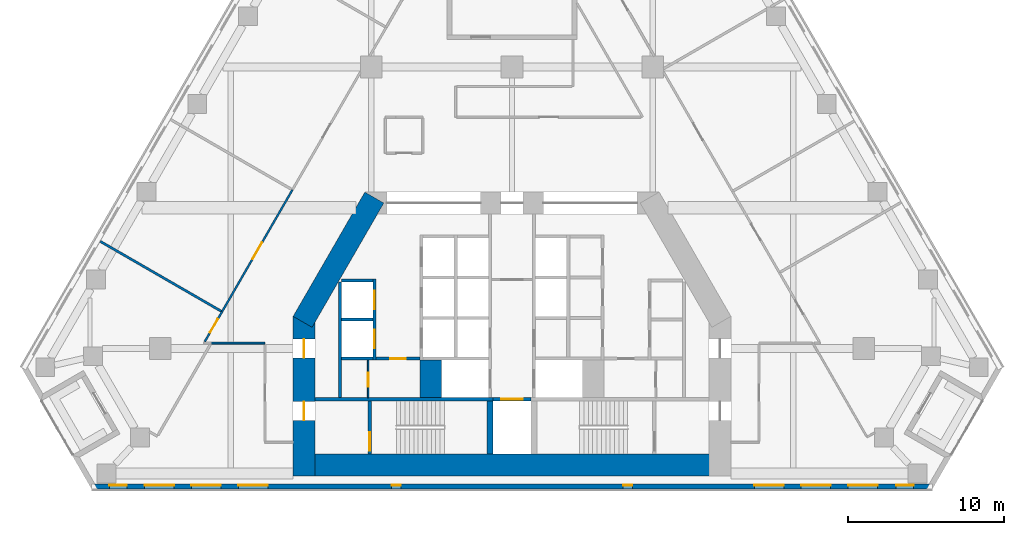
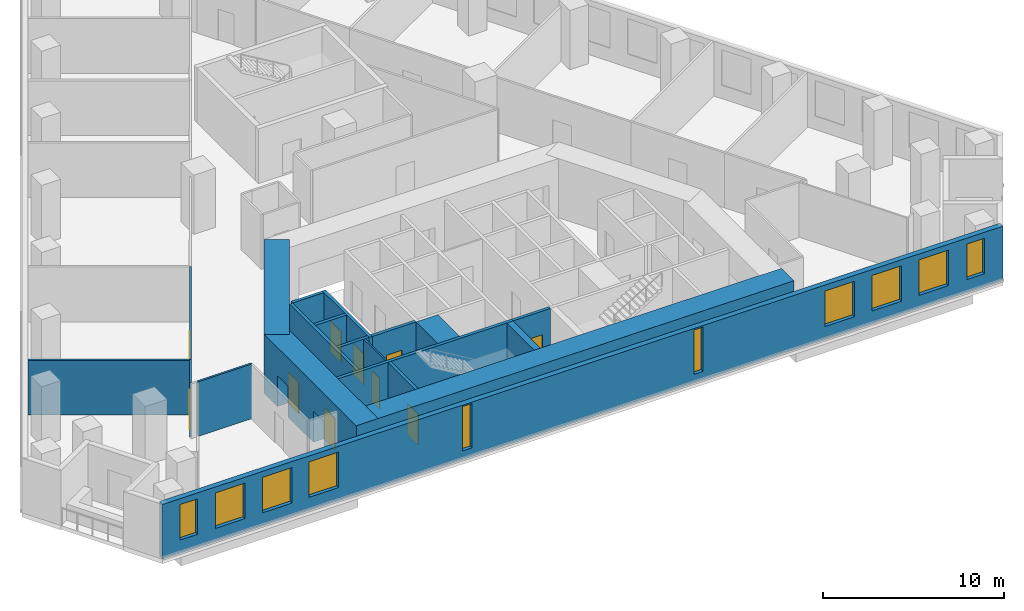
# One storey, part 3 of 9: 20 walls, 10 doors, 10 windows, 20 openings.
"""IFC4 building model written with IfcOpenShell, lengths in metres."""

from ifc_helpers import new_model, si_unit, direction, frame, frame_2d, origin, place, context, subcontext, project, spatial, rectangle, extrude, material, layer, layer_set, type_object, element, fill, save


model = new_model("IFC4")

# Units and contexts
model_context = context("Model", 3, precision=1e-05, world=origin(), true_north=direction((0.0, 1.0)))
body_context = subcontext(model_context, "Body", "Model", "MODEL_VIEW")
ifc_project = project(units=[si_unit("LENGTHUNIT", "METRE"), si_unit("AREAUNIT", "SQUARE_METRE"), si_unit("VOLUMEUNIT", "CUBIC_METRE"), si_unit("PLANEANGLEUNIT", "RADIAN"), si_unit("MASSUNIT", "GRAM", prefix="KILO")], contexts=[model_context])

# Site, building, storey
site_placement = place(None, origin())
site = spatial("IfcSite", under=ifc_project, at=site_placement, CompositionType="ELEMENT")
building_placement = place(site_placement, origin())
building = spatial("IfcBuilding", under=site, at=building_placement, Name="Fogline Exchange Tower", CompositionType="ELEMENT")
storey_placement = place(building_placement, frame((0.0, 0.0, 72.89990234375)))
storey = spatial("IfcBuildingStorey", under=building, at=storey_placement, Name="L15", CompositionType="ELEMENT", Elevation=72.89990234375)

# Wall, opening, door
ifc_material_1 = material(Name="Blockwork partition", Category="masonry")
ifc_layer_1 = layer(ifc_material_1, 0.10009765625)
ifc_layer_set_1 = layer_set([ifc_layer_1], Name="CW10")
wall_type_1 = type_object("IfcWallType", Name="CW10", PredefinedType="PARTITIONING", material=ifc_layer_set_1)
wall_1_placement = place(storey_placement, frame((-9.199951171875, 5.85009765625, 0.0), z_axis=(0.0, 0.0, 1.0), x_axis=(0.0, 1.0, 0.0)))
wall_1 = element("IfcWall", 1, at=wall_1_placement, inside=storey, type_object=wall_type_1, Name="WC partition", PredefinedType="PARTITIONING", context=body_context, shape_type="SweptSolid", body=[
    extrude(rectangle(XDim=2.39990234375, YDim=0.10009765625, at=frame_2d((1.199951171875, 0.0))), origin(), (0.0, 0.0, 1.0), 3.7001953125),
])
opening_1_placement = place(wall_1_placement, frame((0.699951171875, 0.0, 0.0)))
opening_1 = element("IfcOpeningElement", 2, at=opening_1_placement, cuts=wall_1, Name="Opening T04-C008", PredefinedType="OPENING", context=body_context, shape_type="SweptSolid", body=[
    extrude(rectangle(XDim=0.89990234375, YDim=2.10009765625, at=frame_2d((0.449951171875, 1.050048828125))), frame((0.0, 0.06005859375, 0.0), z_axis=(0.0, -1.0, 0.0), x_axis=(1.0, 0.0, 0.0)), (0.0, 0.0, 1.0), 0.1201171875),
])
ifc_material_2 = material(Name="Steel and timber fire door", Category="steel")
door_type_1 = type_object("IfcDoorType", Name="D-CS1", OperationType="SINGLE_SWING_RIGHT", PredefinedType="DOOR", material=ifc_material_2)
door_1_placement = place(opening_1_placement, origin())
door_1 = element("IfcDoor", 3, at=door_1_placement, inside=storey, type_object=door_type_1, Name="Door to Cleaner's Store", OperationType="SINGLE_SWING_LEFT", OverallHeight=2.10009765625, OverallWidth=0.89990234375, PredefinedType="DOOR", context=body_context, shape_type="SweptSolid", body=[
    extrude(rectangle(XDim=0.89990234375, YDim=2.10009765625, at=frame_2d((0.449951171875, 1.050048828125))), frame((0.0, 0.02490234375, 0.0), z_axis=(0.0, -1.0, 0.0), x_axis=(1.0, 0.0, 0.0)), (0.0, 0.0, 1.0), 0.050048828125),
])
fill(opening_1, door_1)

# Walls
ifc_material_3 = material(Name="Concrete C60", Category="concrete")
ifc_layer_2 = layer(ifc_material_3, 1.39990234375)
ifc_layer_set_2 = layer_set([ifc_layer_2], Name="CW140")
wall_type_2 = type_object("IfcWallType", Name="CW140", PredefinedType="SOLIDWALL", material=ifc_layer_set_2)
wall_2_placement = place(storey_placement, frame((-5.199951171875, 5.85009765625, -0.2998046875), z_axis=(0.0, 0.0, 1.0), x_axis=(0.0, 1.0, 0.0)))
element("IfcWall", 4, at=wall_2_placement, inside=storey, type_object=wall_type_2, Name="Lift shaft block wall", PredefinedType="SOLIDWALL", context=body_context, shape_type="SweptSolid", body=[
    extrude(rectangle(XDim=2.39990234375, YDim=1.39990234375, at=frame_2d((1.199951171875, 0.0))), origin(), (0.0, 0.0, 1.0), 4.0),
])
ifc_material_4 = material(Name="Concrete C40", Category="concrete")
ifc_layer_3 = layer(ifc_material_4, 0.199951171875)
ifc_layer_set_3 = layer_set([ifc_layer_3], Name="CW20")
wall_type_3 = type_object("IfcWallType", Name="CW20", PredefinedType="SOLIDWALL", material=ifc_layer_set_3)
wall_3_placement = place(storey_placement, frame((-11.0, 5.85009765625, 0.0), z_axis=(0.0, 0.0, 1.0), x_axis=(0.0, 1.0, 0.0)))
element("IfcWall", 5, at=wall_3_placement, inside=storey, type_object=wall_type_3, Name="Service room wall", PredefinedType="SOLIDWALL", context=body_context, shape_type="SweptSolid", body=[
    extrude(rectangle(XDim=7.39990234375, YDim=0.199951171875, at=frame_2d((3.699951171875, 0.0))), origin(), (0.0, 0.0, 1.0), 3.7001953125),
])

# Wall, opening, door
wall_4_placement = place(storey_placement, frame((-8.699951171875, 8.35009765625, 0.0), z_axis=(0.0, 0.0, 1.0), x_axis=(1.0, 0.0, 0.0)))
wall_4 = element("IfcWall", 6, at=wall_4_placement, inside=storey, type_object=wall_type_3, Name="WC wall", PredefinedType="SOLIDWALL", context=body_context, shape_type="SweptSolid", body=[
    extrude(rectangle(XDim=2.800048828125, YDim=0.199951171875, at=frame_2d((1.39990234375, 0.0))), origin(), (0.0, 0.0, 1.0), 3.7001953125),
])
opening_2_placement = place(wall_4_placement, frame((0.89990234375, 0.0, 0.0)))
opening_2 = element("IfcOpeningElement", 7, at=opening_2_placement, cuts=wall_4, Name="Opening T04-C007", PredefinedType="OPENING", context=body_context, shape_type="SweptSolid", body=[
    extrude(rectangle(XDim=1.0, YDim=2.10009765625, at=frame_2d((0.5, 1.050048828125))), frame((0.0, 0.10986328125, 0.0), z_axis=(0.0, -1.0, 0.0), x_axis=(1.0, 0.0, 0.0)), (0.0, 0.0, 1.0), 0.219970703125),
])
door_type_2 = type_object("IfcDoorType", Name="D-WC1", OperationType="SINGLE_SWING_LEFT", PredefinedType="DOOR", material=ifc_material_2)
door_2_placement = place(opening_2_placement, frame((1.0, 0.0, 0.0), z_axis=(0.0, 0.0, 1.0), x_axis=(-1.0, 0.0, 0.0)))
door_2 = element("IfcDoor", 8, at=door_2_placement, inside=storey, type_object=door_type_2, Name="Door to Men's WC", OperationType="SINGLE_SWING_LEFT", OverallHeight=2.10009765625, OverallWidth=1.0, PredefinedType="DOOR", context=body_context, shape_type="SweptSolid", body=[
    extrude(rectangle(XDim=1.0, YDim=2.10009765625, at=frame_2d((0.5, 1.050048828125))), frame((0.0, 0.02490234375, 0.0), z_axis=(0.0, -1.0, 0.0), x_axis=(1.0, 0.0, 0.0)), (0.0, 0.0, 1.0), 0.050048828125),
])
fill(opening_2, door_2)

# Wall
ifc_layer_4 = layer(ifc_material_4, 0.199951171875)
ifc_layer_set_4 = layer_set([ifc_layer_4], Name="CW20R")
wall_type_4 = type_object("IfcWallType", Name="CW20R", PredefinedType="SOLIDWALL", material=ifc_layer_set_4)
wall_5_placement = place(storey_placement, frame((-12.60009765625, 5.75, -0.2998046875), z_axis=(0.0, 0.0, 1.0), x_axis=(1.0, 0.0, 0.0)))
element("IfcWall", 9, at=wall_5_placement, inside=storey, type_object=wall_type_4, Name="Stair enclosure wall", PredefinedType="SOLIDWALL", context=body_context, shape_type="SweptSolid", body=[
    extrude(rectangle(XDim=11.400146484375, YDim=0.199951171875, at=frame_2d((5.7001953125, 0.0))), origin(), (0.0, 0.0, 1.0), 4.0),
])

# Wall, opening, door
wall_6_placement = place(storey_placement, frame((-1.199951171875, 5.75, -0.2998046875), z_axis=(0.0, 0.0, 1.0), x_axis=(1.0, 0.0, 0.0)))
wall_6 = element("IfcWall", 10, at=wall_6_placement, inside=storey, type_object=wall_type_4, Name="Stair enclosure wall", PredefinedType="SOLIDWALL", context=body_context, shape_type="SweptSolid", body=[
    extrude(rectangle(XDim=2.39990234375, YDim=0.199951171875, at=frame_2d((1.199951171875, 0.0))), origin(), (0.0, 0.0, 1.0), 4.0),
])
opening_3_placement = place(wall_6_placement, frame((0.5, 0.0, 0.300048828125)))
opening_3 = element("IfcOpeningElement", 11, at=opening_3_placement, cuts=wall_6, Name="Opening T04-LD09", PredefinedType="OPENING", context=body_context, shape_type="SweptSolid", body=[
    extrude(rectangle(XDim=1.39990234375, YDim=2.10009765625, at=frame_2d((0.699951171875, 1.050048828125))), frame((0.0, 0.10986328125, 0.0), z_axis=(0.0, -1.0, 0.0), x_axis=(1.0, 0.0, 0.0)), (0.0, 0.0, 1.0), 0.219970703125),
])
door_type_3 = type_object("IfcDoorType", Name="LD3", OperationType="SLIDING_TO_LEFT", PredefinedType="DOOR", material=ifc_material_2)
door_3_placement = place(opening_3_placement, origin())
door_3 = element("IfcDoor", 12, at=door_3_placement, inside=storey, type_object=door_type_3, Name="Landing door GL1", OperationType="SLIDING_TO_LEFT", OverallHeight=2.10009765625, OverallWidth=1.39990234375, PredefinedType="DOOR", context=body_context, shape_type="SweptSolid", body=[
    extrude(rectangle(XDim=1.39990234375, YDim=2.10009765625, at=frame_2d((0.699951171875, 1.050048828125))), frame((0.0, 0.02490234375, 0.0), z_axis=(0.0, -1.0, 0.0), x_axis=(1.0, 0.0, 0.0)), (0.0, 0.0, 1.0), 0.050048828125),
])
fill(opening_3, door_3)

wall_7_placement = place(storey_placement, frame((-9.10009765625, 2.25, -0.2998046875), z_axis=(0.0, 0.0, 1.0), x_axis=(0.0, 1.0, 0.0)))
wall_7 = element("IfcWall", 13, at=wall_7_placement, inside=storey, type_object=wall_type_4, Name="Stair enclosure wall", PredefinedType="SOLIDWALL", context=body_context, shape_type="SweptSolid", body=[
    extrude(rectangle(XDim=3.39990234375, YDim=0.199951171875, at=frame_2d((1.699951171875, 0.0))), origin(), (0.0, 0.0, 1.0), 4.0),
])
opening_4_placement = place(wall_7_placement, frame((0.199951171875, 0.0, 0.300048828125)))
opening_4 = element("IfcOpeningElement", 14, at=opening_4_placement, cuts=wall_7, Name="Opening T04-C010", PredefinedType="OPENING", context=body_context, shape_type="SweptSolid", body=[
    extrude(rectangle(XDim=1.199951171875, YDim=2.10009765625, at=frame_2d((0.60009765625, 1.050048828125))), frame((0.0, 0.10986328125, 0.0), z_axis=(0.0, -1.0, 0.0), x_axis=(1.0, 0.0, 0.0)), (0.0, 0.0, 1.0), 0.219970703125),
])
door_type_4 = type_object("IfcDoorType", Name="D-ST1", OperationType="SINGLE_SWING_LEFT", PredefinedType="DOOR", material=ifc_material_2)
door_4_placement = place(opening_4_placement, frame((1.199951171875, 0.0, 0.0), z_axis=(0.0, 0.0, 1.0), x_axis=(-1.0, 0.0, 0.0)))
door_4 = element("IfcDoor", 15, at=door_4_placement, inside=storey, type_object=door_type_4, Name="Stair door ST1", OperationType="SINGLE_SWING_RIGHT", OverallHeight=2.10009765625, OverallWidth=1.199951171875, PredefinedType="DOOR", context=body_context, shape_type="SweptSolid", body=[
    extrude(rectangle(XDim=1.199951171875, YDim=2.10009765625, at=frame_2d((0.60009765625, 1.050048828125))), frame((0.0, 0.02490234375, 0.0), z_axis=(0.0, -1.0, 0.0), x_axis=(1.0, 0.0, 0.0)), (0.0, 0.0, 1.0), 0.050048828125),
])
fill(opening_4, door_4)

# Wall, openings, doors
ifc_layer_5 = layer(ifc_material_4, 0.199951171875)
ifc_layer_set_5 = layer_set([ifc_layer_5], Name="CW20S")
wall_type_5 = type_object("IfcWallType", Name="CW20S", PredefinedType="SOLIDWALL", material=ifc_layer_set_5)
wall_8_placement = place(storey_placement, frame((-8.800048828125, 8.25, -0.2998046875), z_axis=(0.0, 0.0, 1.0), x_axis=(0.0, 1.0, 0.0)))
wall_8 = element("IfcWall", 16, at=wall_8_placement, inside=storey, type_object=wall_type_5, Name="Lift shaft wall", PredefinedType="SOLIDWALL", context=body_context, shape_type="SweptSolid", body=[
    extrude(rectangle(XDim=5.199951171875, YDim=0.199951171875, at=frame_2d((2.60009765625, 0.0))), origin(), (0.0, 0.0, 1.0), 4.0),
])
opening_5_placement = place(wall_8_placement, frame((0.75, 0.0, 0.300048828125)))
opening_5 = element("IfcOpeningElement", 17, at=opening_5_placement, cuts=wall_8, Name="Opening T04-LD01", PredefinedType="OPENING", context=body_context, shape_type="SweptSolid", body=[
    extrude(rectangle(XDim=1.199951171875, YDim=2.10009765625, at=frame_2d((0.60009765625, 1.050048828125))), frame((0.0, 0.10986328125, 0.0), z_axis=(0.0, -1.0, 0.0), x_axis=(1.0, 0.0, 0.0)), (0.0, 0.0, 1.0), 0.219970703125),
])
opening_6_placement = place(wall_8_placement, frame((3.25, 0.0, 0.300048828125)))
opening_6 = element("IfcOpeningElement", 18, at=opening_6_placement, cuts=wall_8, Name="Opening T04-LD02", PredefinedType="OPENING", context=body_context, shape_type="SweptSolid", body=[
    extrude(rectangle(XDim=1.199951171875, YDim=2.10009765625, at=frame_2d((0.60009765625, 1.050048828125))), frame((0.0, 0.10986328125, 0.0), z_axis=(0.0, -1.0, 0.0), x_axis=(1.0, 0.0, 0.0)), (0.0, 0.0, 1.0), 0.219970703125),
])
door_type_5 = type_object("IfcDoorType", Name="LD1", OperationType="SLIDING_TO_LEFT", PredefinedType="DOOR", material=ifc_material_2)
door_5_placement = place(opening_5_placement, origin())
door_5 = element("IfcDoor", 19, at=door_5_placement, inside=storey, type_object=door_type_5, Name="Landing door LR1", OperationType="SLIDING_TO_LEFT", OverallHeight=2.10009765625, OverallWidth=1.199951171875, PredefinedType="DOOR", context=body_context, shape_type="SweptSolid", body=[
    extrude(rectangle(XDim=1.199951171875, YDim=2.10009765625, at=frame_2d((0.60009765625, 1.050048828125))), frame((0.0, 0.02490234375, 0.0), z_axis=(0.0, -1.0, 0.0), x_axis=(1.0, 0.0, 0.0)), (0.0, 0.0, 1.0), 0.050048828125),
])
fill(opening_5, door_5)
door_6_placement = place(opening_6_placement, origin())
door_6 = element("IfcDoor", 20, at=door_6_placement, inside=storey, type_object=door_type_5, Name="Landing door LR2", OperationType="SLIDING_TO_LEFT", OverallHeight=2.10009765625, OverallWidth=1.199951171875, PredefinedType="DOOR", context=body_context, shape_type="SweptSolid", body=[
    extrude(rectangle(XDim=1.199951171875, YDim=2.10009765625, at=frame_2d((0.60009765625, 1.050048828125))), frame((0.0, 0.02490234375, 0.0), z_axis=(0.0, -1.0, 0.0), x_axis=(1.0, 0.0, 0.0)), (0.0, 0.0, 1.0), 0.050048828125),
])
fill(opening_6, door_6)

# Walls
for number, where, z_axis, x_axis, name in (
    (21, (-10.89990234375, 8.35009765625, -0.2998046875), (0.0, 0.0, 1.0), (1.0, 0.0, 0.0), "Lift shaft wall"),
    (22, (-10.89990234375, 10.85009765625, -0.2998046875), (0.0, 0.0, 1.0), (1.0, 0.0, 0.0), "Lift shaft wall"),
    (23, (-10.89990234375, 13.35009765625, -0.2998046875), (0.0, 0.0, 1.0), (1.0, 0.0, 0.0), "Lift shaft wall"),
):
    element("IfcWall", number, at=place(storey_placement, frame(where, z_axis=z_axis, x_axis=x_axis)), inside=storey, type_object=wall_type_5, Name=name, PredefinedType="SOLIDWALL", context=body_context, shape_type="SweptSolid", body=[
        extrude(rectangle(XDim=2.0, YDim=0.199951171875, at=frame_2d((1.0, 0.0))), origin(), (0.0, 0.0, 1.0), 4.0),
    ])
ifc_layer_6 = layer(ifc_material_4, 0.39990234375)
ifc_layer_set_6 = layer_set([ifc_layer_6], Name="CW40R")
wall_type_6 = type_object("IfcWallType", Name="CW40R", PredefinedType="SOLIDWALL", material=ifc_layer_set_6)
wall_9_placement = place(storey_placement, frame((-1.39990234375, 2.25, -0.2998046875), z_axis=(0.0, 0.0, 1.0), x_axis=(0.0, 1.0, 0.0)))
element("IfcWall", 24, at=wall_9_placement, inside=storey, type_object=wall_type_6, Name="Stair and lift shaft wall", PredefinedType="SOLIDWALL", context=body_context, shape_type="SweptSolid", body=[
    extrude(rectangle(XDim=3.39990234375, YDim=0.39990234375, at=frame_2d((1.699951171875, 0.0))), origin(), (0.0, 0.0, 1.0), 4.0),
])

# Wall, openings, windows
ifc_material_5 = material(Name="Brick masonry", Category="masonry")
ifc_layer_7 = layer(ifc_material_5, 0.340087890625)
ifc_layer_set_7 = layer_set([ifc_layer_7], Name="FW1")
wall_type_7 = type_object("IfcWallType", Name="FW1", PredefinedType="SOLIDWALL", material=ifc_layer_set_7)
wall_10_placement = place(storey_placement, frame((-26.8828125, 0.169921875, 0.0), z_axis=(0.0, 0.0, 1.0), x_axis=(1.0, 0.0, 0.0)))
wall_10 = element("IfcWall", 25, at=wall_10_placement, inside=storey, type_object=wall_type_7, Name="Brick wall L15 S", PredefinedType="SOLIDWALL", context=body_context, shape_type="SweptSolid", body=[
    extrude(rectangle(XDim=53.765625, YDim=0.340087890625, at=frame_2d((26.8828125, 0.0))), origin(), (0.0, 0.0, 1.0), 3.7001953125),
])
opening_7_placement = place(wall_10_placement, frame((3.3828125, 0.0, 0.89990234375)))
opening_7 = element("IfcOpeningElement", 26, at=opening_7_placement, cuts=wall_10, Name="Opening W1", PredefinedType="OPENING", context=body_context, shape_type="SweptSolid", body=[
    extrude(rectangle(XDim=1.885009765625, YDim=2.39990234375, at=frame_2d((0.9423828125, 1.199951171875))), frame((0.0, 0.18017578125, 0.0), z_axis=(0.0, -1.0, 0.0), x_axis=(1.0, 0.0, 0.0)), (0.0, 0.0, 1.0), 0.360107421875),
])
opening_8_placement = place(wall_10_placement, frame((6.3828125, 0.0, 0.89990234375)))
opening_8 = element("IfcOpeningElement", 27, at=opening_8_placement, cuts=wall_10, Name="Opening W1", PredefinedType="OPENING", context=body_context, shape_type="SweptSolid", body=[
    extrude(rectangle(XDim=1.885009765625, YDim=2.39990234375, at=frame_2d((0.9423828125, 1.199951171875))), frame((0.0, 0.18017578125, 0.0), z_axis=(0.0, -1.0, 0.0), x_axis=(1.0, 0.0, 0.0)), (0.0, 0.0, 1.0), 0.360107421875),
])
opening_9_placement = place(wall_10_placement, frame((9.3828125, 0.0, 0.89990234375)))
opening_9 = element("IfcOpeningElement", 28, at=opening_9_placement, cuts=wall_10, Name="Opening W1", PredefinedType="OPENING", context=body_context, shape_type="SweptSolid", body=[
    extrude(rectangle(XDim=1.885009765625, YDim=2.39990234375, at=frame_2d((0.9423828125, 1.199951171875))), frame((0.0, 0.18017578125, 0.0), z_axis=(0.0, -1.0, 0.0), x_axis=(1.0, 0.0, 0.0)), (0.0, 0.0, 1.0), 0.360107421875),
])
opening_10_placement = place(wall_10_placement, frame((42.3828125, 0.0, 0.89990234375)))
opening_10 = element("IfcOpeningElement", 29, at=opening_10_placement, cuts=wall_10, Name="Opening W1", PredefinedType="OPENING", context=body_context, shape_type="SweptSolid", body=[
    extrude(rectangle(XDim=1.885009765625, YDim=2.39990234375, at=frame_2d((0.9423828125, 1.199951171875))), frame((0.0, 0.18017578125, 0.0), z_axis=(0.0, -1.0, 0.0), x_axis=(1.0, 0.0, 0.0)), (0.0, 0.0, 1.0), 0.360107421875),
])
opening_11_placement = place(wall_10_placement, frame((45.3828125, 0.0, 0.89990234375)))
opening_11 = element("IfcOpeningElement", 30, at=opening_11_placement, cuts=wall_10, Name="Opening W1", PredefinedType="OPENING", context=body_context, shape_type="SweptSolid", body=[
    extrude(rectangle(XDim=1.885009765625, YDim=2.39990234375, at=frame_2d((0.9423828125, 1.199951171875))), frame((0.0, 0.18017578125, 0.0), z_axis=(0.0, -1.0, 0.0), x_axis=(1.0, 0.0, 0.0)), (0.0, 0.0, 1.0), 0.360107421875),
])
opening_12_placement = place(wall_10_placement, frame((48.3828125, 0.0, 0.89990234375)))
opening_12 = element("IfcOpeningElement", 31, at=opening_12_placement, cuts=wall_10, Name="Opening W1", PredefinedType="OPENING", context=body_context, shape_type="SweptSolid", body=[
    extrude(rectangle(XDim=1.885009765625, YDim=2.39990234375, at=frame_2d((0.9423828125, 1.199951171875))), frame((0.0, 0.18017578125, 0.0), z_axis=(0.0, -1.0, 0.0), x_axis=(1.0, 0.0, 0.0)), (0.0, 0.0, 1.0), 0.360107421875),
])
opening_13_placement = place(wall_10_placement, frame((1.1337890625, 0.0, 0.89990234375)))
opening_13 = element("IfcOpeningElement", 32, at=opening_13_placement, cuts=wall_10, Name="Opening W4", PredefinedType="OPENING", context=body_context, shape_type="SweptSolid", body=[
    extrude(rectangle(XDim=1.114990234375, YDim=2.39990234375, at=frame_2d((0.5576171875, 1.199951171875))), frame((0.0, 0.18017578125, 0.0), z_axis=(0.0, -1.0, 0.0), x_axis=(1.0, 0.0, 0.0)), (0.0, 0.0, 1.0), 0.360107421875),
])
opening_14_placement = place(wall_10_placement, frame((51.459228515625, 0.0, 0.89990234375)))
opening_14 = element("IfcOpeningElement", 33, at=opening_14_placement, cuts=wall_10, Name="Opening W4", PredefinedType="OPENING", context=body_context, shape_type="SweptSolid", body=[
    extrude(rectangle(XDim=1.114990234375, YDim=2.39990234375, at=frame_2d((0.5576171875, 1.199951171875))), frame((0.0, 0.18017578125, 0.0), z_axis=(0.0, -1.0, 0.0), x_axis=(1.0, 0.0, 0.0)), (0.0, 0.0, 1.0), 0.360107421875),
])
opening_15_placement = place(wall_10_placement, frame((19.182861328125, 0.0, 0.60009765625)))
opening_15 = element("IfcOpeningElement", 34, at=opening_15_placement, cuts=wall_10, Name="Opening W5", PredefinedType="OPENING", context=body_context, shape_type="SweptSolid", body=[
    extrude(rectangle(XDim=0.60009765625, YDim=3.0, at=frame_2d((0.300048828125, 1.5))), frame((0.0, 0.18017578125, 0.0), z_axis=(0.0, -1.0, 0.0), x_axis=(1.0, 0.0, 0.0)), (0.0, 0.0, 1.0), 0.360107421875),
])
opening_16_placement = place(wall_10_placement, frame((33.98291015625, 0.0, 0.60009765625)))
opening_16 = element("IfcOpeningElement", 35, at=opening_16_placement, cuts=wall_10, Name="Opening W5", PredefinedType="OPENING", context=body_context, shape_type="SweptSolid", body=[
    extrude(rectangle(XDim=0.60009765625, YDim=3.0, at=frame_2d((0.300048828125, 1.5))), frame((0.0, 0.18017578125, 0.0), z_axis=(0.0, -1.0, 0.0), x_axis=(1.0, 0.0, 0.0)), (0.0, 0.0, 1.0), 0.360107421875),
])
ifc_material_6 = material(Name="Aluminium and glass", Category="aluminium")
window_type_1 = type_object("IfcWindowType", Name="W1", PartitioningType="SINGLE_PANEL", PredefinedType="WINDOW", material=ifc_material_6)
window_1_placement = place(opening_7_placement, origin())
window_1 = element("IfcWindow", 36, at=window_1_placement, inside=storey, type_object=window_type_1, Name="W1 W1", OverallHeight=2.39990234375, OverallWidth=1.885009765625, PartitioningType="SINGLE_PANEL", PredefinedType="WINDOW", context=body_context, shape_type="SweptSolid", body=[
    extrude(rectangle(XDim=1.885009765625, YDim=2.39990234375, at=frame_2d((0.9423828125, 1.199951171875))), frame((0.0, 0.110107421875, 0.0), z_axis=(0.0, -1.0, 0.0), x_axis=(1.0, 0.0, 0.0)), (0.0, 0.0, 1.0), 0.06005859375),
])
fill(opening_7, window_1)
window_2_placement = place(opening_8_placement, origin())
window_2 = element("IfcWindow", 37, at=window_2_placement, inside=storey, type_object=window_type_1, Name="W1 W1", OverallHeight=2.39990234375, OverallWidth=1.885009765625, PartitioningType="SINGLE_PANEL", PredefinedType="WINDOW", context=body_context, shape_type="SweptSolid", body=[
    extrude(rectangle(XDim=1.885009765625, YDim=2.39990234375, at=frame_2d((0.9423828125, 1.199951171875))), frame((0.0, 0.110107421875, 0.0), z_axis=(0.0, -1.0, 0.0), x_axis=(1.0, 0.0, 0.0)), (0.0, 0.0, 1.0), 0.06005859375),
])
fill(opening_8, window_2)
window_3_placement = place(opening_9_placement, origin())
window_3 = element("IfcWindow", 38, at=window_3_placement, inside=storey, type_object=window_type_1, Name="W1 W1", OverallHeight=2.39990234375, OverallWidth=1.885009765625, PartitioningType="SINGLE_PANEL", PredefinedType="WINDOW", context=body_context, shape_type="SweptSolid", body=[
    extrude(rectangle(XDim=1.885009765625, YDim=2.39990234375, at=frame_2d((0.9423828125, 1.199951171875))), frame((0.0, 0.110107421875, 0.0), z_axis=(0.0, -1.0, 0.0), x_axis=(1.0, 0.0, 0.0)), (0.0, 0.0, 1.0), 0.06005859375),
])
fill(opening_9, window_3)
window_4_placement = place(opening_10_placement, origin())
window_4 = element("IfcWindow", 39, at=window_4_placement, inside=storey, type_object=window_type_1, Name="W1 W1", OverallHeight=2.39990234375, OverallWidth=1.885009765625, PartitioningType="SINGLE_PANEL", PredefinedType="WINDOW", context=body_context, shape_type="SweptSolid", body=[
    extrude(rectangle(XDim=1.885009765625, YDim=2.39990234375, at=frame_2d((0.9423828125, 1.199951171875))), frame((0.0, 0.110107421875, 0.0), z_axis=(0.0, -1.0, 0.0), x_axis=(1.0, 0.0, 0.0)), (0.0, 0.0, 1.0), 0.06005859375),
])
fill(opening_10, window_4)
window_5_placement = place(opening_11_placement, origin())
window_5 = element("IfcWindow", 40, at=window_5_placement, inside=storey, type_object=window_type_1, Name="W1 W1", OverallHeight=2.39990234375, OverallWidth=1.885009765625, PartitioningType="SINGLE_PANEL", PredefinedType="WINDOW", context=body_context, shape_type="SweptSolid", body=[
    extrude(rectangle(XDim=1.885009765625, YDim=2.39990234375, at=frame_2d((0.9423828125, 1.199951171875))), frame((0.0, 0.110107421875, 0.0), z_axis=(0.0, -1.0, 0.0), x_axis=(1.0, 0.0, 0.0)), (0.0, 0.0, 1.0), 0.06005859375),
])
fill(opening_11, window_5)
window_6_placement = place(opening_12_placement, origin())
window_6 = element("IfcWindow", 41, at=window_6_placement, inside=storey, type_object=window_type_1, Name="W1 W1", OverallHeight=2.39990234375, OverallWidth=1.885009765625, PartitioningType="SINGLE_PANEL", PredefinedType="WINDOW", context=body_context, shape_type="SweptSolid", body=[
    extrude(rectangle(XDim=1.885009765625, YDim=2.39990234375, at=frame_2d((0.9423828125, 1.199951171875))), frame((0.0, 0.110107421875, 0.0), z_axis=(0.0, -1.0, 0.0), x_axis=(1.0, 0.0, 0.0)), (0.0, 0.0, 1.0), 0.06005859375),
])
fill(opening_12, window_6)
window_type_2 = type_object("IfcWindowType", Name="W4", PartitioningType="SINGLE_PANEL", PredefinedType="WINDOW", material=ifc_material_6)
window_7_placement = place(opening_13_placement, origin())
window_7 = element("IfcWindow", 42, at=window_7_placement, inside=storey, type_object=window_type_2, Name="W4 W4", OverallHeight=2.39990234375, OverallWidth=1.114990234375, PartitioningType="SINGLE_PANEL", PredefinedType="WINDOW", context=body_context, shape_type="SweptSolid", body=[
    extrude(rectangle(XDim=1.114990234375, YDim=2.39990234375, at=frame_2d((0.5576171875, 1.199951171875))), frame((0.0, 0.110107421875, 0.0), z_axis=(0.0, -1.0, 0.0), x_axis=(1.0, 0.0, 0.0)), (0.0, 0.0, 1.0), 0.06005859375),
])
fill(opening_13, window_7)
window_8_placement = place(opening_14_placement, origin())
window_8 = element("IfcWindow", 43, at=window_8_placement, inside=storey, type_object=window_type_2, Name="W4 W4", OverallHeight=2.39990234375, OverallWidth=1.114990234375, PartitioningType="SINGLE_PANEL", PredefinedType="WINDOW", context=body_context, shape_type="SweptSolid", body=[
    extrude(rectangle(XDim=1.114990234375, YDim=2.39990234375, at=frame_2d((0.5576171875, 1.199951171875))), frame((0.0, 0.110107421875, 0.0), z_axis=(0.0, -1.0, 0.0), x_axis=(1.0, 0.0, 0.0)), (0.0, 0.0, 1.0), 0.06005859375),
])
fill(opening_14, window_8)
window_type_3 = type_object("IfcWindowType", Name="W5", PartitioningType="SINGLE_PANEL", PredefinedType="WINDOW", material=ifc_material_6)
window_9_placement = place(opening_15_placement, origin())
window_9 = element("IfcWindow", 44, at=window_9_placement, inside=storey, type_object=window_type_3, Name="W5 W5", OverallHeight=3.0, OverallWidth=0.60009765625, PartitioningType="SINGLE_PANEL", PredefinedType="WINDOW", context=body_context, shape_type="SweptSolid", body=[
    extrude(rectangle(XDim=0.60009765625, YDim=3.0, at=frame_2d((0.300048828125, 1.5))), frame((0.0, 0.110107421875, 0.0), z_axis=(0.0, -1.0, 0.0), x_axis=(1.0, 0.0, 0.0)), (0.0, 0.0, 1.0), 0.06005859375),
])
fill(opening_15, window_9)
window_10_placement = place(opening_16_placement, origin())
window_10 = element("IfcWindow", 45, at=window_10_placement, inside=storey, type_object=window_type_3, Name="W5 W5", OverallHeight=3.0, OverallWidth=0.60009765625, PartitioningType="SINGLE_PANEL", PredefinedType="WINDOW", context=body_context, shape_type="SweptSolid", body=[
    extrude(rectangle(XDim=0.60009765625, YDim=3.0, at=frame_2d((0.300048828125, 1.5))), frame((0.0, 0.110107421875, 0.0), z_axis=(0.0, -1.0, 0.0), x_axis=(1.0, 0.0, 0.0)), (0.0, 0.0, 1.0), 0.06005859375),
])
fill(opening_16, window_10)

# Wall, opening, door
ifc_material_7 = material(Name="Plasterboard corridor partition with mineral wool, 2 layers each side")
ifc_layer_8 = layer(ifc_material_7, 0.125)
ifc_layer_set_8 = layer_set([ifc_layer_8], Name="PW2")
wall_type_8 = type_object("IfcWallType", Name="PW2", PredefinedType="PARTITIONING", material=ifc_layer_set_8)
wall_11_placement = place(storey_placement, frame((-18.544677734375, 11.3505859375, 0.0), z_axis=(0.0, 0.0, 1.0), x_axis=(0.5000018851, 0.866024315419, 0.0)))
wall_11 = element("IfcWall", 46, at=wall_11_placement, inside=storey, type_object=wall_type_8, Name="wall-L15-W021", PredefinedType="PARTITIONING", context=body_context, shape_type="SweptSolid", body=[
    extrude(rectangle(XDim=9.0, YDim=0.125, at=frame_2d((4.5, 0.0))), origin(), (0.0, 0.0, 1.0), 3.7001953125),
])
opening_17_placement = place(wall_11_placement, frame((3.89990234375, 0.0, 0.0)))
opening_17 = element("IfcOpeningElement", 47, at=opening_17_placement, cuts=wall_11, Name="Opening T04-D013", PredefinedType="OPENING", context=body_context, shape_type="SweptSolid", body=[
    extrude(rectangle(XDim=1.199951171875, YDim=2.10009765625, at=frame_2d((0.60009765625, 1.050048828125))), frame((0.0, 0.072509765625, 0.0), z_axis=(0.0, -1.0, 0.0), x_axis=(1.0, 0.0, 0.0)), (0.0, 0.0, 1.0), 0.14501953125),
])
ifc_material_8 = material(Name="Fire-rated glazed door leaf with steel frame", Category="steel")
door_type_6 = type_object("IfcDoorType", Name="D5", OperationType="SINGLE_SWING_LEFT", PredefinedType="DOOR", material=ifc_material_8)
door_7_placement = place(opening_17_placement, origin())
door_7 = element("IfcDoor", 48, at=door_7_placement, inside=storey, type_object=door_type_6, Name="door-L15-D013", OperationType="SINGLE_SWING_LEFT", OverallHeight=2.10009765625, OverallWidth=1.199951171875, PredefinedType="DOOR", context=body_context, shape_type="SweptSolid", body=[
    extrude(rectangle(XDim=1.199951171875, YDim=2.10009765625, at=frame_2d((0.60009765625, 1.050048828125))), frame((0.0, 0.02490234375, 0.0), z_axis=(0.0, -1.0, 0.0), x_axis=(1.0, 0.0, 0.0)), (0.0, 0.0, 1.0), 0.050048828125),
])
fill(opening_17, door_7)

wall_12_placement = place(storey_placement, frame((-19.651123046875, 9.43408203125, 0.0), z_axis=(0.0, 0.0, 1.0), x_axis=(0.499983483481, 0.866034939391, 0.0)))
wall_12 = element("IfcWall", 49, at=wall_12_placement, inside=storey, type_object=wall_type_8, Name="wall-L15-W023", PredefinedType="PARTITIONING", context=body_context, shape_type="SweptSolid", body=[
    extrude(rectangle(XDim=2.212890625, YDim=0.125, at=frame_2d((1.1064453125, 0.0))), origin(), (0.0, 0.0, 1.0), 3.7001953125),
])
opening_18_placement = place(wall_12_placement, frame((0.671142578125, 0.0, 0.0)))
opening_18 = element("IfcOpeningElement", 50, at=opening_18_placement, cuts=wall_12, Name="Opening T04-D014", PredefinedType="OPENING", context=body_context, shape_type="SweptSolid", body=[
    extrude(rectangle(XDim=1.0, YDim=2.10009765625, at=frame_2d((0.5, 1.050048828125))), frame((0.0, 0.072509765625, 0.0), z_axis=(0.0, -1.0, 0.0), x_axis=(1.0, 0.0, 0.0)), (0.0, 0.0, 1.0), 0.14501953125),
])
ifc_material_9 = material(Name="Fire-rated timber door leaf with steel frame", Category="steel")
door_type_7 = type_object("IfcDoorType", Name="D3", OperationType="SINGLE_SWING_LEFT", PredefinedType="DOOR", material=ifc_material_9)
door_8_placement = place(opening_18_placement, origin())
door_8 = element("IfcDoor", 51, at=door_8_placement, inside=storey, type_object=door_type_7, Name="door-L15-D014", OperationType="SINGLE_SWING_RIGHT", OverallHeight=2.10009765625, OverallWidth=1.0, PredefinedType="DOOR", context=body_context, shape_type="SweptSolid", body=[
    extrude(rectangle(XDim=1.0, YDim=2.10009765625, at=frame_2d((0.5, 1.050048828125))), frame((0.0, 0.02490234375, 0.0), z_axis=(0.0, -1.0, 0.0), x_axis=(1.0, 0.0, 0.0)), (0.0, 0.0, 1.0), 0.050048828125),
])
fill(opening_18, door_8)

# Walls
wall_13_placement = place(storey_placement, frame((-15.800048828125, 9.340087890625, 0.0), z_axis=(0.0, 0.0, 1.0), x_axis=(-1.0, 0.0, 0.0)))
element("IfcWall", 52, at=wall_13_placement, inside=storey, type_object=wall_type_8, Name="wall-L15-W024", PredefinedType="PARTITIONING", context=body_context, shape_type="SweptSolid", body=[
    extrude(rectangle(XDim=3.443603515625, YDim=0.125, at=frame_2d((1.7216796875, 0.0))), origin(), (0.0, 0.0, 1.0), 3.7001953125),
])
ifc_material_10 = material(Name="Plasterboard demising partition with mineral wool and acoustic board")
ifc_layer_9 = layer(ifc_material_10, 0.14990234375)
ifc_layer_set_9 = layer_set([ifc_layer_9], Name="PW3")
wall_type_9 = type_object("IfcWallType", Name="PW3", PredefinedType="PARTITIONING", material=ifc_layer_set_9)
wall_14_placement = place(storey_placement, frame((-18.598876953125, 11.3818359375, 0.0), z_axis=(0.0, 0.0, 1.0), x_axis=(-0.866022276127, 0.500005417223, 0.0)))
element("IfcWall", 53, at=wall_14_placement, inside=storey, type_object=wall_type_9, Name="wall-L15-W044", PredefinedType="PARTITIONING", context=body_context, shape_type="SweptSolid", body=[
    extrude(rectangle(XDim=8.9375, YDim=0.14990234375, at=frame_2d((4.46875, 0.0))), origin(), (0.0, 0.0, 1.0), 3.7001953125),
])
ifc_layer_10 = layer(ifc_material_3, 1.39990234375)
ifc_layer_set_10 = layer_set([ifc_layer_10], Name="SW01")
wall_type_10 = type_object("IfcWallType", Name="SW01", PredefinedType="SHEAR", material=ifc_layer_set_10)
wall_15_placement = place(storey_placement, frame((-14.0, 1.550048828125, 0.0), z_axis=(0.0, 0.0, 1.0), x_axis=(1.0, 0.0, 0.0)))
element("IfcWall", 54, at=wall_15_placement, inside=storey, type_object=wall_type_10, Name="L15-W901", PredefinedType="SHEAR", context=body_context, shape_type="SweptSolid", body=[
    extrude(rectangle(XDim=28.0, YDim=1.39990234375, at=frame_2d((14.0, 0.0))), origin(), (0.0, 0.0, 1.0), 4.0),
])
wall_16_placement = place(storey_placement, frame((-8.805419921875, 18.64990234375, 0.0), z_axis=(0.0, 0.0, 1.0), x_axis=(-0.50000187635, -0.866024320471, 0.0)))
element("IfcWall", 55, at=wall_16_placement, inside=storey, type_object=wall_type_10, Name="L15-W905", PredefinedType="SHEAR", context=body_context, shape_type="SweptSolid", body=[
    extrude(rectangle(XDim=9.1767578125, YDim=1.39990234375, at=frame_2d((4.58837890625, 0.0))), origin(), (0.0, 0.0, 1.0), 4.0),
])

# Wall, openings, doors
wall_17_placement = place(storey_placement, frame((-13.300048828125, 11.052490234375, 0.0), z_axis=(0.0, 0.0, 1.0), x_axis=(0.0, -1.0, 0.0)))
wall_17 = element("IfcWall", 56, at=wall_17_placement, inside=storey, type_object=wall_type_10, Name="L15-W906", PredefinedType="SHEAR", context=body_context, shape_type="SweptSolid", body=[
    extrude(rectangle(XDim=10.202392578125, YDim=1.39990234375, at=frame_2d((5.10107421875, 0.0))), origin(), (0.0, 0.0, 1.0), 4.0),
])
opening_19_placement = place(wall_17_placement, frame((5.45263671875, 0.0, 0.0)))
opening_19 = element("IfcOpeningElement", 57, at=opening_19_placement, cuts=wall_17, Name="Opening T04-C009", PredefinedType="OPENING", context=body_context, shape_type="SweptSolid", body=[
    extrude(rectangle(XDim=1.199951171875, YDim=2.10009765625, at=frame_2d((0.60009765625, 1.050048828125))), frame((0.0, 0.7099609375, 0.0), z_axis=(0.0, -1.0, 0.0), x_axis=(1.0, 0.0, 0.0)), (0.0, 0.0, 1.0), 1.419921875),
])
opening_20_placement = place(wall_17_placement, frame((1.45263671875, 0.0, 0.0)))
opening_20 = element("IfcOpeningElement", 58, at=opening_20_placement, cuts=wall_17, Name="Opening T04-C011", PredefinedType="OPENING", context=body_context, shape_type="SweptSolid", body=[
    extrude(rectangle(XDim=1.199951171875, YDim=2.10009765625, at=frame_2d((0.60009765625, 1.050048828125))), frame((0.0, 0.7099609375, 0.0), z_axis=(0.0, -1.0, 0.0), x_axis=(1.0, 0.0, 0.0)), (0.0, 0.0, 1.0), 1.419921875),
])
door_type_8 = type_object("IfcDoorType", Name="D-FR1", OperationType="SINGLE_SWING_RIGHT", PredefinedType="DOOR", material=ifc_material_2)
door_9_placement = place(opening_19_placement, origin())
door_9 = element("IfcDoor", 59, at=door_9_placement, inside=storey, type_object=door_type_8, Name="Front room door ST1", OperationType="SINGLE_SWING_LEFT", OverallHeight=2.10009765625, OverallWidth=1.199951171875, PredefinedType="DOOR", context=body_context, shape_type="SweptSolid", body=[
    extrude(rectangle(XDim=1.199951171875, YDim=2.10009765625, at=frame_2d((0.60009765625, 1.050048828125))), frame((0.0, 0.02490234375, 0.0), z_axis=(0.0, -1.0, 0.0), x_axis=(1.0, 0.0, 0.0)), (0.0, 0.0, 1.0), 0.050048828125),
])
fill(opening_19, door_9)
door_type_9 = type_object("IfcDoorType", Name="D-SV1", OperationType="SINGLE_SWING_LEFT", PredefinedType="DOOR", material=ifc_material_2)
door_10_placement = place(opening_20_placement, origin())
door_10 = element("IfcDoor", 60, at=door_10_placement, inside=storey, type_object=door_type_9, Name="Service door W", OperationType="SINGLE_SWING_LEFT", OverallHeight=2.10009765625, OverallWidth=1.199951171875, PredefinedType="DOOR", context=body_context, shape_type="SweptSolid", body=[
    extrude(rectangle(XDim=1.199951171875, YDim=2.10009765625, at=frame_2d((0.60009765625, 1.050048828125))), frame((0.0, 0.02490234375, 0.0), z_axis=(0.0, -1.0, 0.0), x_axis=(1.0, 0.0, 0.0)), (0.0, 0.0, 1.0), 0.050048828125),
])
fill(opening_20, door_10)

save(model, "model.ifc")
